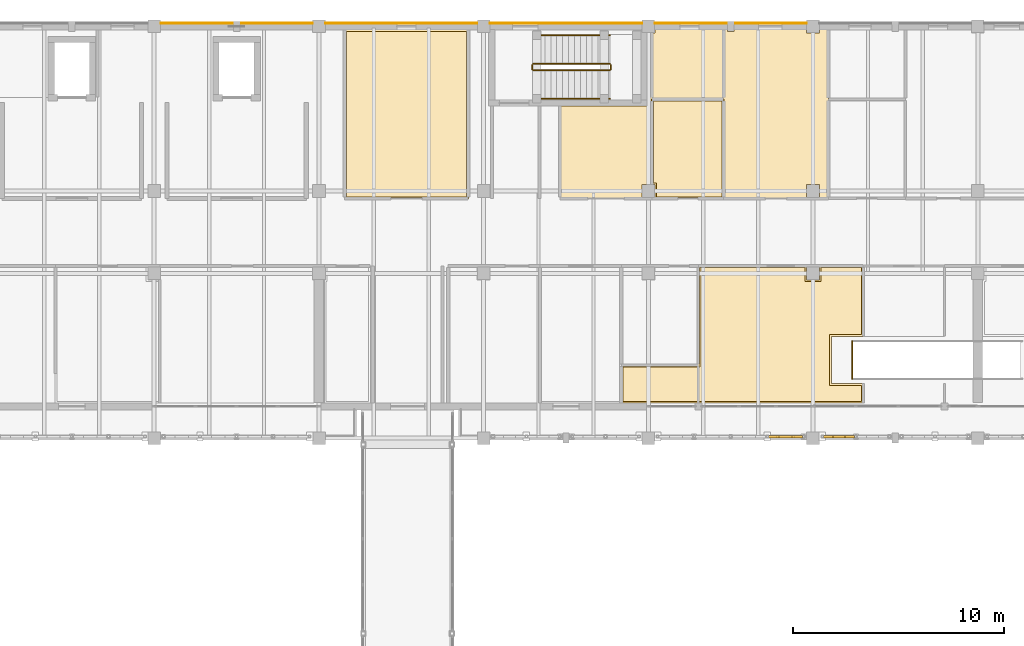
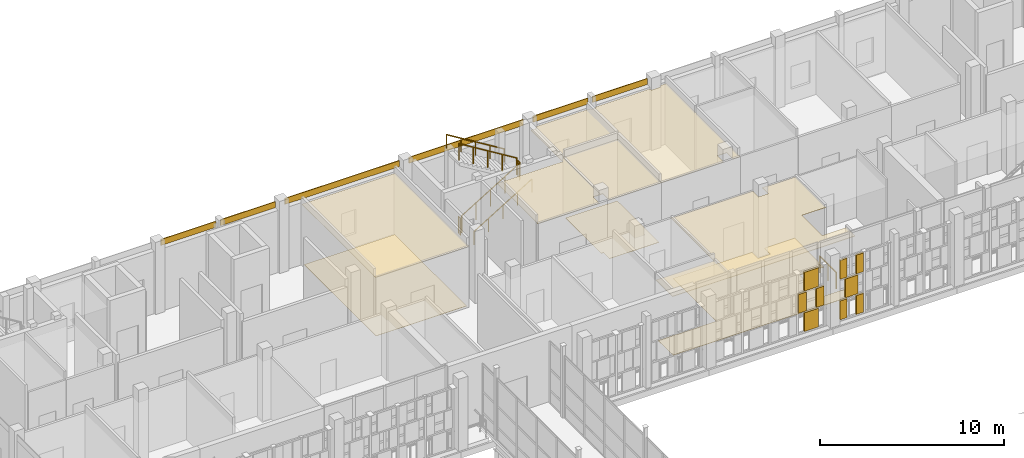
# One storey, part 132 of 138: 23 coverings, 7 railings.
"""IFC4 building model written with IfcOpenShell, lengths in metres."""

from ifc_helpers import new_model, si_unit, direction, frame, origin, origin_2d, place, context, subcontext, project, spatial, polyline, rectangle, circle, outline, extrude, material, layer, layer_set, type_object, element, save


model = new_model("IFC4")

# Units and contexts
model_context = context("Model", 3, precision=1e-05, world=origin(), true_north=direction((0.0, 1.0)))
body_context = subcontext(model_context, "Body", "Model", "MODEL_VIEW")
ifc_project = project(units=[si_unit("LENGTHUNIT", "METRE"), si_unit("AREAUNIT", "SQUARE_METRE"), si_unit("VOLUMEUNIT", "CUBIC_METRE"), si_unit("PLANEANGLEUNIT", "RADIAN"), si_unit("MASSUNIT", "GRAM", prefix="KILO")], contexts=[model_context])

# Site, building, storey
site_placement = place(None, origin())
site = spatial("IfcSite", under=ifc_project, at=site_placement, CompositionType="ELEMENT")
building_placement = place(site_placement, origin())
building = spatial("IfcBuilding", under=site, at=building_placement, Name="Celorna Specialist Clinic", CompositionType="ELEMENT")
storey_placement = place(building_placement, frame((0.0, 0.0, 4.800048828125)))
storey = spatial("IfcBuildingStorey", under=building, at=storey_placement, Name="L01", CompositionType="ELEMENT", Elevation=4.800048828125)

# Railing
ifc_material_1 = material(Name="Stainless steel and laminated glass balustrade", Category="steel")
railing_type_1 = type_object("IfcRailingType", Name="BL-01", PredefinedType="BALUSTRADE", material=ifc_material_1)
railing_1_placement = place(storey_placement, frame((95.4599609375, 99.304931640625, 0.0)))
element("IfcRailing", 1, at=railing_1_placement, inside=storey, type_object=railing_type_1, Name="Feature stair ST-16 upper well balustrade 2", PredefinedType="BALUSTRADE", context=body_context, shape_type="SweptSolid", body=[
    extrude(circle(Radius=0.02392578125, at=origin_2d()), frame((0.0, 0.0, 1.09619140625), z_axis=(0.0, 1.0, 0.0), x_axis=(-1.0, 0.0, 0.0)), (0.0, 0.0, 1.0), 1.7900390625),
    extrude(circle(Radius=0.02099609375, at=origin_2d()), origin(), (0.0, 0.0, 1.0), 1.072021484375),
    extrude(circle(Radius=0.02099609375, at=origin_2d()), frame((0.0, 0.89501953125, 0.0)), (0.0, 0.0, 1.0), 1.072021484375),
    extrude(circle(Radius=0.02099609375, at=origin_2d()), frame((0.0, 1.7900390625, 0.0)), (0.0, 0.0, 1.0), 1.072021484375),
])

# Coverings
ifc_material_2 = material(Name="Hygienic acoustic mineral-fibre ceiling")
ifc_layer_1 = layer(ifc_material_2, 0.030029296875, Name="Hygienic acoustic mineral-fibre ceiling")
ifc_layer_set_1 = layer_set([ifc_layer_1], Name="Hygienic acoustic mineral-fibre ceiling")
covering_type_1 = type_object("IfcCoveringType", Name="CE-01", PredefinedType="CEILING", material=ifc_layer_set_1)
covering_1_placement = place(storey_placement, frame((0.0, 0.0, 3.989990234375)))
element("IfcCovering", 2, at=covering_1_placement, inside=storey, type_object=covering_type_1, Name="Acoustic ceiling L01-060", PredefinedType="CEILING", context=body_context, shape_type="SweptSolid", body=[
    extrude(outline(polyline([(88.155029296875, 104.6650390625), (93.304931640625, 104.6650390625), (93.304931640625, 104.60498046875), (93.294921875, 104.60498046875), (93.294921875, 103.9951171875), (93.905029296875, 103.9951171875), (93.905029296875, 104.60498046875), (93.89501953125, 104.60498046875), (93.89501953125, 104.6650390625), (95.985107421875, 104.6650390625), (95.985107421875, 101.31005859375), (94.465087890625, 101.31005859375), (94.465087890625, 99.090087890625), (95.985107421875, 99.090087890625), (95.985107421875, 98.155029296875), (84.5048828125, 98.155029296875), (84.5048828125, 99.965087890625), (88.155029296875, 99.965087890625), (88.155029296875, 104.6650390625)])), origin(), (0.0, 0.0, 1.0), 0.030029296875),
])
covering_2_placement = place(storey_placement, frame((0.0, 0.0, 3.989990234375)))
element("IfcCovering", 3, at=covering_2_placement, inside=storey, type_object=covering_type_1, Name="Acoustic ceiling L01-076", PredefinedType="CEILING", context=body_context, shape_type="SweptSolid", body=[
    extrude(outline(polyline([(77.284912109375, 115.844970703125), (77.284912109375, 107.8349609375), (71.405029296875, 107.8349609375), (71.405029296875, 115.844970703125), (77.284912109375, 115.844970703125)])), origin(), (0.0, 0.0, 1.0), 0.030029296875),
])
covering_3_placement = place(storey_placement, frame((0.0, 0.0, 3.989990234375)))
element("IfcCovering", 4, at=covering_3_placement, inside=storey, type_object=covering_type_1, Name="Acoustic ceiling L01-077", PredefinedType="CEILING", context=body_context, shape_type="SweptSolid", body=[
    extrude(outline(polyline([(81.60498046875, 107.8349609375), (81.60498046875, 112.235107421875), (85.72509765625, 112.235107421875), (85.72509765625, 115.695068359375), (85.985107421875, 115.695068359375), (85.985107421875, 108.5048828125), (85.4951171875, 108.5048828125), (85.4951171875, 107.89501953125), (85.5048828125, 107.89501953125), (85.5048828125, 107.8349609375), (81.60498046875, 107.8349609375)])), origin(), (0.0, 0.0, 1.0), 0.030029296875),
])
covering_4_placement = place(storey_placement, frame((0.0, 0.0, 3.989990234375)))
element("IfcCovering", 5, at=covering_4_placement, inside=storey, type_object=covering_type_1, Name="Acoustic ceiling L01-078", PredefinedType="CEILING", context=body_context, shape_type="SweptSolid", body=[
    extrude(outline(polyline([(86.094970703125, 107.89501953125), (86.10498046875, 107.89501953125), (86.10498046875, 108.5048828125), (85.955078125, 108.5048828125), (85.955078125, 112.56494140625), (89.385009765625, 112.56494140625), (89.385009765625, 107.8349609375), (86.094970703125, 107.8349609375), (86.094970703125, 107.89501953125)])), origin(), (0.0, 0.0, 1.0), 0.030029296875),
])
covering_5_placement = place(storey_placement, frame((0.0, 0.0, 3.989990234375)))
element("IfcCovering", 6, at=covering_5_placement, inside=storey, type_object=covering_type_1, Name="Acoustic ceiling L01-079", PredefinedType="CEILING", context=body_context, shape_type="SweptSolid", body=[
    extrude(outline(polyline([(89.35498046875, 112.534912109375), (85.955078125, 112.534912109375), (85.955078125, 115.695068359375), (86.10498046875, 115.695068359375), (86.10498046875, 115.844970703125), (89.544921875, 115.844970703125), (89.544921875, 115.7548828125), (89.85498046875, 115.7548828125), (89.85498046875, 115.844970703125), (93.294921875, 115.844970703125), (93.294921875, 115.695068359375), (93.905029296875, 115.695068359375), (93.905029296875, 115.844970703125), (94.3349609375, 115.844970703125), (94.3349609375, 107.8349609375), (93.89501953125, 107.8349609375), (93.89501953125, 107.89501953125), (93.905029296875, 107.89501953125), (93.905029296875, 108.5048828125), (93.294921875, 108.5048828125), (93.294921875, 107.89501953125), (93.304931640625, 107.89501953125), (93.304931640625, 107.8349609375), (89.35498046875, 107.8349609375), (89.35498046875, 112.534912109375)])), origin(), (0.0, 0.0, 1.0), 0.030029296875),
])
ifc_material_3 = material(Name="Pero Pinheiro Lioz limestone rainscreen cladding", Category="masonry")
ifc_layer_2 = layer(ifc_material_3, 0.044921875, Name="Pero Pinheiro Lioz limestone rainscreen cladding")
ifc_layer_set_2 = layer_set([ifc_layer_2], Name="Pero Pinheiro Lioz limestone rainscreen cladding")
covering_type_2 = type_object("IfcCoveringType", Name="CL-01", PredefinedType="CLADDING", material=ifc_layer_set_2)
for number, where, z_axis, x_axis, name in (
    (7, (64.425048828125, 116.1474609375, 4.139892578125), (0.0, 0.0, 1.0), (1.0, 0.0, 0.0), "Lioz spandrel cladding #206"),
    (8, (68.175048828125, 116.1474609375, 4.139892578125), (0.0, 0.0, 1.0), (1.0, 0.0, 0.0), "Lioz spandrel cladding #207"),
):
    element("IfcCovering", number, at=place(storey_placement, frame(where, z_axis=z_axis, x_axis=x_axis)), inside=storey, type_object=covering_type_2, Name=name, PredefinedType="CLADDING", context=body_context, shape_type="SweptSolid", body=[
        extrude(rectangle(XDim=3.449951171875, YDim=0.044921875, at=origin_2d()), origin(), (0.0, 0.0, 1.0), 0.39990234375),
    ])
for number, where, z_axis, x_axis, name in (
    (9, (74.10009765625, 116.1474609375, 4.139892578125), (0.0, 0.0, 1.0), (1.0, 0.0, 0.0), "Lioz spandrel cladding #208"),
    (10, (81.89990234375, 116.1474609375, 4.139892578125), (0.0, 0.0, 1.0), (1.0, 0.0, 0.0), "Lioz spandrel cladding #209"),
):
    element("IfcCovering", number, at=place(storey_placement, frame(where, z_axis=z_axis, x_axis=x_axis)), inside=storey, type_object=covering_type_2, Name=name, PredefinedType="CLADDING", context=body_context, shape_type="SweptSolid", body=[
        extrude(rectangle(XDim=7.199951171875, YDim=0.044921875, at=origin_2d()), origin(), (0.0, 0.0, 1.0), 0.39990234375),
    ])
for number, where, z_axis, x_axis, name in (
    (11, (87.824951171875, 116.1474609375, 4.139892578125), (0.0, 0.0, 1.0), (1.0, 0.0, 0.0), "Lioz spandrel cladding #210"),
    (12, (91.574951171875, 116.1474609375, 4.139892578125), (0.0, 0.0, 1.0), (1.0, 0.0, 0.0), "Lioz spandrel cladding #211"),
):
    element("IfcCovering", number, at=place(storey_placement, frame(where, z_axis=z_axis, x_axis=x_axis)), inside=storey, type_object=covering_type_2, Name=name, PredefinedType="CLADDING", context=body_context, shape_type="SweptSolid", body=[
        extrude(rectangle(XDim=3.449951171875, YDim=0.044921875, at=origin_2d()), origin(), (0.0, 0.0, 1.0), 0.39990234375),
    ])
ifc_material_4 = material(Name="Perforated terracotta brick weave cladding", Category="masonry")
ifc_layer_3 = layer(ifc_material_4, 0.114990234375, Name="Perforated terracotta brick weave cladding")
ifc_layer_set_3 = layer_set([ifc_layer_3], Name="Perforated terracotta brick weave cladding")
covering_type_3 = type_object("IfcCoveringType", Name="CL-02", PredefinedType="CLADDING", material=ifc_layer_set_3)
covering_6_placement = place(storey_placement, frame((92.294921875, 96.570068359375, 0.10009765625), z_axis=(0.0, 0.0, 1.0), x_axis=(1.0, 0.0, 0.0)))
element("IfcCovering", 13, at=covering_6_placement, inside=storey, type_object=covering_type_3, Name="Woven perforated terracotta brick course #703", PredefinedType="CLADDING", context=body_context, shape_type="SweptSolid", body=[
    extrude(rectangle(XDim=0.869384765625, YDim=0.114990234375, at=origin_2d()), origin(), (0.0, 0.0, 1.0), 1.24658203125),
])
for number, where, z_axis, x_axis, name in (
    (14, (91.735595703125, 96.570068359375, 1.44677734375), (0.0, 0.0, 1.0), (1.0, 0.0, 0.0), "Woven perforated terracotta brick course #704"),
    (15, (92.8544921875, 96.570068359375, 1.44677734375), (0.0, 0.0, 1.0), (1.0, 0.0, 0.0), "Woven perforated terracotta brick course #705"),
):
    element("IfcCovering", number, at=place(storey_placement, frame(where, z_axis=z_axis, x_axis=x_axis)), inside=storey, type_object=covering_type_3, Name=name, PredefinedType="CLADDING", context=body_context, shape_type="SweptSolid", body=[
        extrude(rectangle(XDim=0.4912109375, YDim=0.114990234375, at=origin_2d()), origin(), (0.0, 0.0, 1.0), 1.24658203125),
    ])
covering_7_placement = place(storey_placement, frame((92.294921875, 96.570068359375, 2.793212890625), z_axis=(0.0, 0.0, 1.0), x_axis=(1.0, 0.0, 0.0)))
element("IfcCovering", 16, at=covering_7_placement, inside=storey, type_object=covering_type_3, Name="Woven perforated terracotta brick course #706", PredefinedType="CLADDING", context=body_context, shape_type="SweptSolid", body=[
    extrude(rectangle(XDim=0.869384765625, YDim=0.114990234375, at=origin_2d()), origin(), (0.0, 0.0, 1.0), 1.24658203125),
])
for number, where, z_axis, x_axis, name in (
    (17, (94.323486328125, 96.570068359375, 0.10009765625), (0.0, 0.0, 1.0), (1.0, 0.0, 0.0), "Woven perforated terracotta brick course #707"),
    (18, (95.341552734375, 96.570068359375, 0.10009765625), (0.0, 0.0, 1.0), (1.0, 0.0, 0.0), "Woven perforated terracotta brick course #708"),
):
    element("IfcCovering", number, at=place(storey_placement, frame(where, z_axis=z_axis, x_axis=x_axis)), inside=storey, type_object=covering_type_3, Name=name, PredefinedType="CLADDING", context=body_context, shape_type="SweptSolid", body=[
        extrude(rectangle(XDim=0.44677734375, YDim=0.114990234375, at=origin_2d()), origin(), (0.0, 0.0, 1.0), 1.24658203125),
    ])
covering_8_placement = place(storey_placement, frame((94.83251953125, 96.570068359375, 1.44677734375), z_axis=(0.0, 0.0, 1.0), x_axis=(1.0, 0.0, 0.0)))
element("IfcCovering", 19, at=covering_8_placement, inside=storey, type_object=covering_type_3, Name="Woven perforated terracotta brick course #709", PredefinedType="CLADDING", context=body_context, shape_type="SweptSolid", body=[
    extrude(rectangle(XDim=0.791015625, YDim=0.114990234375, at=origin_2d()), origin(), (0.0, 0.0, 1.0), 1.24658203125),
])
for number, where, z_axis, x_axis, name in (
    (20, (94.323486328125, 96.570068359375, 2.793212890625), (0.0, 0.0, 1.0), (1.0, 0.0, 0.0), "Woven perforated terracotta brick course #710"),
    (21, (95.341552734375, 96.570068359375, 2.793212890625), (0.0, 0.0, 1.0), (1.0, 0.0, 0.0), "Woven perforated terracotta brick course #711"),
):
    element("IfcCovering", number, at=place(storey_placement, frame(where, z_axis=z_axis, x_axis=x_axis)), inside=storey, type_object=covering_type_3, Name=name, PredefinedType="CLADDING", context=body_context, shape_type="SweptSolid", body=[
        extrude(rectangle(XDim=0.44677734375, YDim=0.114990234375, at=origin_2d()), origin(), (0.0, 0.0, 1.0), 1.24658203125),
    ])
ifc_material_5 = material(Name="Seamless antimicrobial clinical vinyl and Lioz terrazzo flooring")
ifc_layer_4 = layer(ifc_material_5, 0.02001953125, Name="Seamless antimicrobial clinical vinyl and Lioz terrazzo flooring")
ifc_layer_set_4 = layer_set([ifc_layer_4], Name="Seamless antimicrobial clinical vinyl and Lioz terrazzo flooring")
covering_type_4 = type_object("IfcCoveringType", Name="FL-01", PredefinedType="FLOORING", material=ifc_layer_set_4)
covering_9_placement = place(storey_placement, origin())
element("IfcCovering", 22, at=covering_9_placement, inside=storey, type_object=covering_type_4, Name="Antimicrobial clinical flooring L01-060", PredefinedType="FLOORING", context=body_context, shape_type="SweptSolid", body=[
    extrude(outline(polyline([(88.2451171875, 99.875), (88.2451171875, 104.574951171875), (93.215087890625, 104.574951171875), (93.215087890625, 103.9150390625), (93.985107421875, 103.9150390625), (93.985107421875, 104.574951171875), (95.89501953125, 104.574951171875), (95.89501953125, 101.39990234375), (94.375, 101.39990234375), (94.375, 99.0), (95.89501953125, 99.0), (95.89501953125, 98.2451171875), (84.594970703125, 98.2451171875), (84.594970703125, 99.875), (88.2451171875, 99.875)])), origin(), (0.0, 0.0, 1.0), 0.02001953125),
])
covering_10_placement = place(storey_placement, origin())
element("IfcCovering", 23, at=covering_10_placement, inside=storey, type_object=covering_type_4, Name="Antimicrobial clinical flooring L01-076", PredefinedType="FLOORING", context=body_context, shape_type="SweptSolid", body=[
    extrude(outline(polyline([(71.4951171875, 115.7548828125), (77.195068359375, 115.7548828125), (77.195068359375, 107.925048828125), (71.4951171875, 107.925048828125), (71.4951171875, 115.7548828125)])), origin(), (0.0, 0.0, 1.0), 0.02001953125),
])
covering_11_placement = place(storey_placement, origin())
element("IfcCovering", 24, at=covering_11_placement, inside=storey, type_object=covering_type_4, Name="Antimicrobial clinical flooring L01-078", PredefinedType="FLOORING", context=body_context, shape_type="SweptSolid", body=[
    extrude(outline(polyline([(86.18505859375, 107.925048828125), (86.18505859375, 108.5849609375), (86.044921875, 108.5849609375), (86.044921875, 112.47509765625), (89.294921875, 112.47509765625), (89.294921875, 107.925048828125), (86.18505859375, 107.925048828125)])), origin(), (0.0, 0.0, 1.0), 0.02001953125),
])

# Railings
ifc_material_6 = material(Name="Powder-coated steel S355", Category="steel")
railing_type_2 = type_object("IfcRailingType", Name="GR-01", PredefinedType="GUARDRAIL", material=ifc_material_6)
railing_2_placement = place(storey_placement, frame((80.340087890625, 113.919921875, 0.17138671875)))
element("IfcRailing", 25, at=railing_2_placement, inside=storey, type_object=railing_type_2, Name="L01 ST-02 stair guard 1", PredefinedType="GUARDRAIL", context=body_context, shape_type="SweptSolid", body=[
    extrude(circle(Radius=0.02392578125, at=origin_2d()), frame((0.0, 0.0, 1.09619140625), z_axis=(0.852850264322, 0.0, 0.5221555579), x_axis=(0.0, 1.0, 0.0)), (0.0, 0.0, 1.0), 4.267822265625),
    extrude(circle(Radius=0.02099609375, at=origin_2d()), origin(), (0.0, 0.0, 1.0), 1.072021484375),
    extrude(circle(Radius=0.02099609375, at=origin_2d()), frame((0.909912109375, 0.0, 0.55712890625)), (0.0, 0.0, 1.0), 1.072021484375),
    extrude(circle(Radius=0.02099609375, at=origin_2d()), frame((1.81982421875, 0.0, 1.1142578125)), (0.0, 0.0, 1.0), 1.072021484375),
    extrude(circle(Radius=0.02099609375, at=origin_2d()), frame((2.72998046875, 0.0, 1.67138671875)), (0.0, 0.0, 1.0), 1.072021484375),
    extrude(circle(Radius=0.02099609375, at=origin_2d()), frame((3.639892578125, 0.0, 2.228515625)), (0.0, 0.0, 1.0), 1.072021484375),
])
railing_3_placement = place(storey_placement, frame((84.030029296875, 113.969970703125, 2.39990234375)))
element("IfcRailing", 26, at=railing_3_placement, inside=storey, type_object=railing_type_2, Name="L01 ST-02 stair guard 2", PredefinedType="GUARDRAIL", context=body_context, shape_type="SweptSolid", body=[
    extrude(circle(Radius=0.02392578125, at=origin_2d()), frame((0.0, 0.0, 1.09619140625), z_axis=(0.0, 1.0, 0.0), x_axis=(-1.0, 0.0, 0.0)), (0.0, 0.0, 1.0), 0.199951171875),
    extrude(circle(Radius=0.02099609375, at=origin_2d()), origin(), (0.0, 0.0, 1.0), 1.072021484375),
    extrude(circle(Radius=0.02099609375, at=origin_2d()), frame((0.0, 0.199951171875, 0.0)), (0.0, 0.0, 1.0), 1.072021484375),
])
railing_4_placement = place(storey_placement, frame((83.97998046875, 114.219970703125, 2.5712890625)))
element("IfcRailing", 27, at=railing_4_placement, inside=storey, type_object=railing_type_2, Name="L01 ST-02 stair guard 3", PredefinedType="GUARDRAIL", context=body_context, shape_type="SweptSolid", body=[
    extrude(circle(Radius=0.02392578125, at=origin_2d()), frame((0.0, 0.0, 1.09619140625), z_axis=(-0.852824790078, 0.0, 0.522197163366), x_axis=(0.0, -1.0, 0.0)), (0.0, 0.0, 1.0), 4.26806640625),
    extrude(circle(Radius=0.02099609375, at=origin_2d()), origin(), (0.0, 0.0, 1.0), 1.072021484375),
    extrude(circle(Radius=0.02099609375, at=origin_2d()), frame((-0.909912109375, 0.0, 0.55712890625)), (0.0, 0.0, 1.0), 1.072021484375),
    extrude(circle(Radius=0.02099609375, at=origin_2d()), frame((-1.81982421875, 0.0, 1.1142578125)), (0.0, 0.0, 1.0), 1.072021484375),
    extrude(circle(Radius=0.02099609375, at=origin_2d()), frame((-2.72998046875, 0.0, 1.671630859375)), (0.0, 0.0, 1.0), 1.072021484375),
    extrude(circle(Radius=0.02099609375, at=origin_2d()), frame((-3.639892578125, 0.0, 2.228759765625)), (0.0, 0.0, 1.0), 1.072021484375),
])
railing_5_placement = place(storey_placement, frame((80.2900390625, 113.969970703125, 0.0)))
element("IfcRailing", 28, at=railing_5_placement, inside=storey, type_object=railing_type_2, Name="L01 ST-02 stair guard 4", PredefinedType="GUARDRAIL", context=body_context, shape_type="SweptSolid", body=[
    extrude(circle(Radius=0.02392578125, at=origin_2d()), frame((0.0, 0.0, 1.09619140625), z_axis=(0.0, 1.0, 0.0), x_axis=(-1.0, 0.0, 0.0)), (0.0, 0.0, 1.0), 0.199951171875),
    extrude(circle(Radius=0.02099609375, at=origin_2d()), origin(), (0.0, 0.0, 1.0), 1.072021484375),
    extrude(circle(Radius=0.02099609375, at=origin_2d()), frame((0.0, 0.199951171875, 0.0)), (0.0, 0.0, 1.0), 1.072021484375),
])
ifc_material_7 = material(Name="Brushed stainless steel handrail", Category="steel")
railing_type_3 = type_object("IfcRailingType", Name="HR-01", PredefinedType="HANDRAIL", material=ifc_material_7)
railing_6_placement = place(storey_placement, frame((80.340087890625, 112.570068359375, 0.17138671875)))
element("IfcRailing", 29, at=railing_6_placement, inside=storey, type_object=railing_type_3, Name="L01 ST-02 stair handrail 1", PredefinedType="HANDRAIL", context=body_context, shape_type="SweptSolid", body=[
    extrude(circle(Radius=0.02392578125, at=origin_2d()), frame((0.0, 0.0, 0.8759765625), z_axis=(0.852850264322, 0.0, 0.5221555579), x_axis=(0.0, 1.0, 0.0)), (0.0, 0.0, 1.0), 4.267822265625),
    extrude(circle(Radius=0.02099609375, at=origin_2d()), origin(), (0.0, 0.0, 1.0), 0.851806640625),
    extrude(circle(Radius=0.02099609375, at=origin_2d()), frame((0.909912109375, 0.0, 0.55712890625)), (0.0, 0.0, 1.0), 0.851806640625),
    extrude(circle(Radius=0.02099609375, at=origin_2d()), frame((1.81982421875, 0.0, 1.1142578125)), (0.0, 0.0, 1.0), 0.851806640625),
    extrude(circle(Radius=0.02099609375, at=origin_2d()), frame((2.72998046875, 0.0, 1.67138671875)), (0.0, 0.0, 1.0), 0.851806640625),
    extrude(circle(Radius=0.02099609375, at=origin_2d()), frame((3.639892578125, 0.0, 2.228515625)), (0.0, 0.0, 1.0), 0.851806640625),
])
railing_7_placement = place(storey_placement, frame((83.97998046875, 115.570068359375, 2.5712890625)))
element("IfcRailing", 30, at=railing_7_placement, inside=storey, type_object=railing_type_3, Name="L01 ST-02 stair handrail 2", PredefinedType="HANDRAIL", context=body_context, shape_type="SweptSolid", body=[
    extrude(circle(Radius=0.02392578125, at=origin_2d()), frame((0.0, 0.0, 0.8759765625), z_axis=(-0.852824790078, 0.0, 0.522197163366), x_axis=(0.0, -1.0, 0.0)), (0.0, 0.0, 1.0), 4.26806640625),
    extrude(circle(Radius=0.02099609375, at=origin_2d()), origin(), (0.0, 0.0, 1.0), 0.851806640625),
    extrude(circle(Radius=0.02099609375, at=origin_2d()), frame((-0.909912109375, 0.0, 0.55712890625)), (0.0, 0.0, 1.0), 0.851806640625),
    extrude(circle(Radius=0.02099609375, at=origin_2d()), frame((-1.81982421875, 0.0, 1.1142578125)), (0.0, 0.0, 1.0), 0.851806640625),
    extrude(circle(Radius=0.02099609375, at=origin_2d()), frame((-2.72998046875, 0.0, 1.671630859375)), (0.0, 0.0, 1.0), 0.851806640625),
    extrude(circle(Radius=0.02099609375, at=origin_2d()), frame((-3.639892578125, 0.0, 2.228759765625)), (0.0, 0.0, 1.0), 0.851806640625),
])

save(model, "model.ifc")
